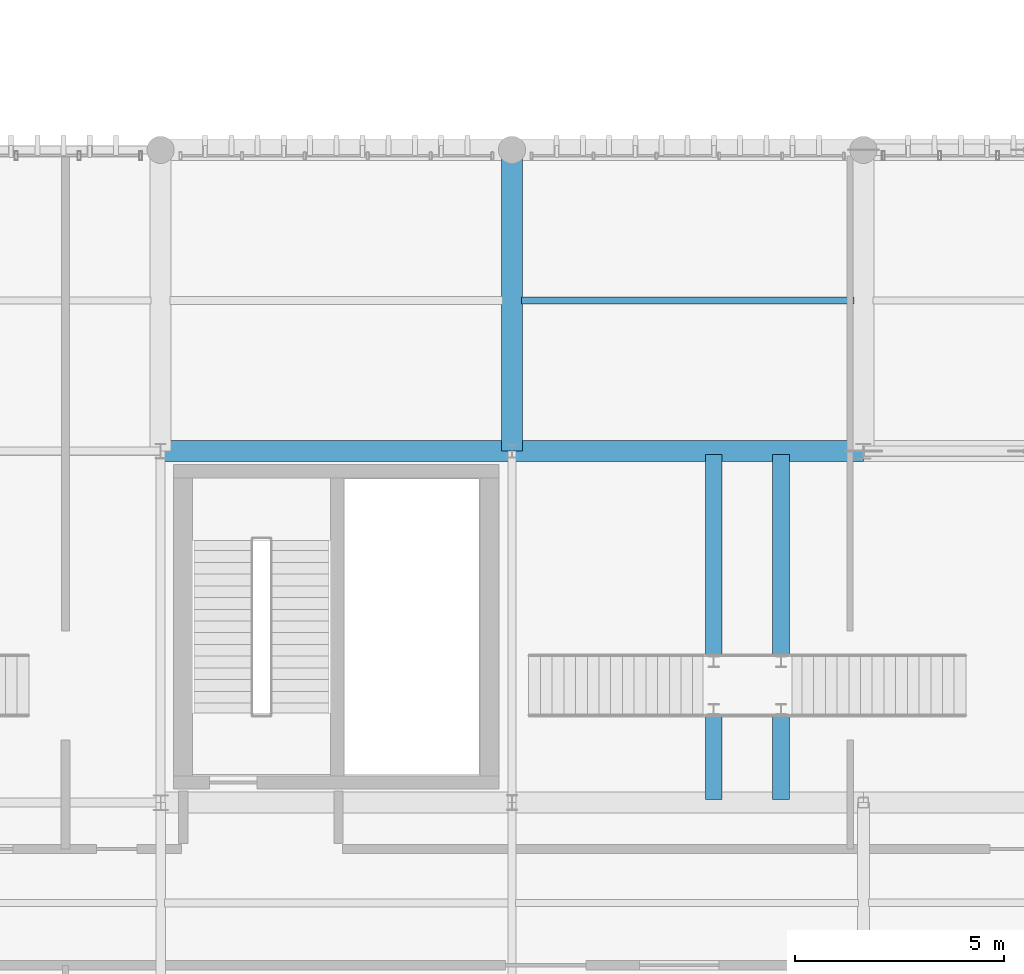
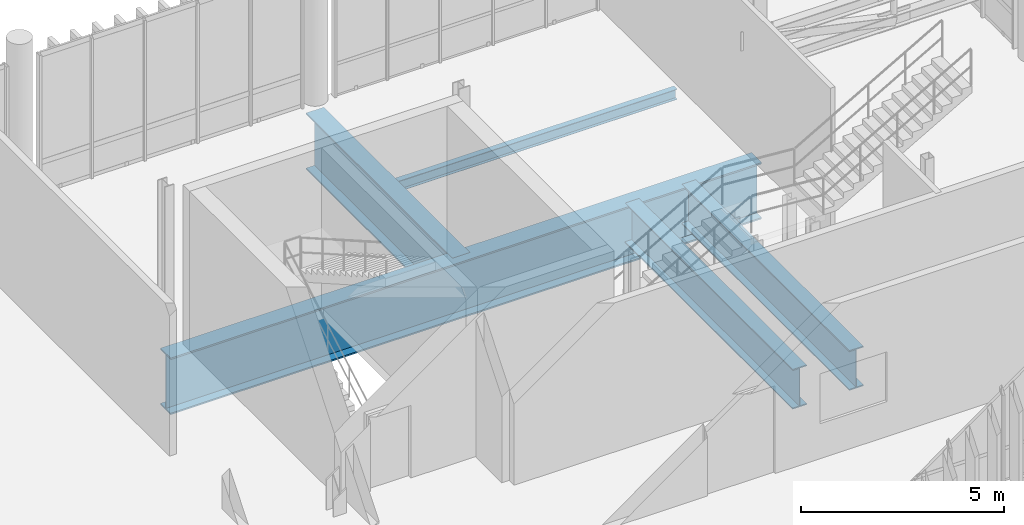
# One storey, part 38 of 86: 5 beams.
"""IFC4 building model written with IfcOpenShell, lengths in metres."""

import ifcopenshell
import ifcopenshell.guid

model = None  # the IFC model being written
_history = None  # IfcOwnerHistory: only IFC2X3 demands one
_inside = {}  # id of a spatial element -> (the spatial element, [elements in it])
_under = {}  # id of a project, library or spatial element -> (it, [spatial elements below it])
_declared = {}  # id of a project -> (the project, [libraries it declares])
_typed = {}  # id of a type object -> (the type object, [elements of that type])
_made_of = {}  # id of a material, layer set ... -> (it, [elements and type objects made of it])


def new_model(schema):
    """Start an empty IFC model of exactly this schema.

    Asked for "IFC4X3", IfcOpenShell would pick the latest addendum, in which some entities
    have other attributes; the version numbers below select the first issue.
    IFC2X3 requires an IfcOwnerHistory on every rooted entity: one is made here for all.
    """
    global model, _history
    if schema == "IFC4X3":
        model = ifcopenshell.file(schema_version=(4, 3, 0, 0))
    else:
        model = ifcopenshell.file(schema=schema)
    _inside.clear()
    _under.clear()
    _declared.clear()
    _typed.clear()
    _made_of.clear()
    _history = None
    if model.schema == "IFC2X3":
        org = make("IfcOrganization", Name="unknown")
        user = make(
            "IfcPersonAndOrganization",
            ThePerson=make("IfcPerson", FamilyName="unknown"),
            TheOrganization=org,
        )
        app = make(
            "IfcApplication",
            ApplicationDeveloper=org,
            Version="unknown",
            ApplicationFullName="unknown",
            ApplicationIdentifier="unknown",
        )
        _history = make(
            "IfcOwnerHistory",
            OwningUser=user,
            OwningApplication=app,
            ChangeAction="ADDED",
            CreationDate=0,
        )
    return model


def make(cls, **values):
    """One entity of the class cls with the attributes given. An attribute that is None is left unset."""
    return model.create_entity(
        cls, **{name: value for name, value in values.items() if value is not None}
    )


def rooted(cls, **values):
    """An entity with a GlobalId (a new one), such as an element, a storey or a relation."""
    return make(cls, GlobalId=ifcopenshell.guid.new(), OwnerHistory=_history, **values)


def si_unit(unit_type, name, prefix=None):
    """IfcSIUnit, for example si_unit("LENGTHUNIT", "METRE", prefix="MILLI")."""
    return make("IfcSIUnit", UnitType=unit_type, Prefix=prefix, Name=name)


def assignment(units):
    """IfcUnitAssignment: the units of a project."""
    return None if units is None else make("IfcUnitAssignment", Units=units)


def point(xyz):
    """IfcCartesianPoint."""
    return None if xyz is None else make("IfcCartesianPoint", Coordinates=xyz)


def direction(xyz):
    """IfcDirection."""
    return None if xyz is None else make("IfcDirection", DirectionRatios=xyz)


def frame(location, z_axis=None, x_axis=None):
    """IfcAxis2Placement3D, a coordinate frame: its origin and axes. An axis left out is left unset."""
    return make(
        "IfcAxis2Placement3D",
        Location=point(location),
        Axis=direction(z_axis),
        RefDirection=direction(x_axis),
    )


def frame_2d(location, x_axis=None):
    """IfcAxis2Placement2D, a coordinate frame in the plane: its origin and x axis."""
    return make(
        "IfcAxis2Placement2D", Location=point(location), RefDirection=direction(x_axis)
    )


def origin_with_axes():
    """The frame at (0, 0, 0) with the z axis (0, 0, 1) and the x axis (1, 0, 0) written out."""
    return frame((0.0, 0.0, 0.0), z_axis=(0.0, 0.0, 1.0), x_axis=(1.0, 0.0, 0.0))


def origin_2d_with_axis():
    """The frame at (0, 0) in the plane with the x axis (1, 0) written out."""
    return frame_2d((0.0, 0.0), x_axis=(1.0, 0.0))


def place(relative_to, where):
    """IfcLocalPlacement: puts the frame where relative to a parent placement (None: the world)."""
    return make(
        "IfcLocalPlacement", PlacementRelTo=relative_to, RelativePlacement=where
    )


def context(
    kind, dimensions, precision=None, world=None, true_north=None, identifier=None
):
    """IfcGeometricRepresentationContext, for example the 3D "Model" context."""
    return make(
        "IfcGeometricRepresentationContext",
        ContextIdentifier=identifier,
        ContextType=kind,
        CoordinateSpaceDimension=dimensions,
        Precision=precision,
        WorldCoordinateSystem=world,
        TrueNorth=true_north,
    )


def subcontext(parent, identifier, kind, view, scale=None):
    """IfcGeometricRepresentationSubContext, for example "Body" below "Model"."""
    return make(
        "IfcGeometricRepresentationSubContext",
        ContextIdentifier=identifier,
        ContextType=kind,
        ParentContext=parent,
        TargetScale=scale,
        TargetView=view,
    )


def project(units=None, contexts=None):
    """IfcProject with its units and contexts."""
    return rooted(
        "IfcProject",
        Name="project",
        RepresentationContexts=contexts,
        UnitsInContext=assignment(units),
    )


def spatial(cls, under=None, at=None, **own):
    """A site, building, storey or space (cls), placed at a placement, below another one or the project."""
    s = rooted(cls, ObjectPlacement=at, **own)
    if under is not None:
        _under.setdefault(under.id(), (under, []))[1].append(s)
    return s


def profile(cls, at=None, kind="AREA", **sizes):
    """A parametric profile (cls). Its sizes go by their IFC names, for example OverallWidth=200.0."""
    return make(cls, ProfileType=kind, Position=at, **sizes)


def i_section(**sizes):
    """IfcIShapeProfileDef."""
    return profile("IfcIShapeProfileDef", **sizes)


def extrude(swept, where, along, depth):
    """IfcExtrudedAreaSolid: the profile swept, set in the frame where, extruded along a direction by depth."""
    return make(
        "IfcExtrudedAreaSolid",
        SweptArea=swept,
        Position=where,
        ExtrudedDirection=direction(along),
        Depth=depth,
    )


def shape(context_of_items, identifier, shape_type, items):
    """IfcShapeRepresentation: the items that make up one representation, for example the "Body"."""
    return make(
        "IfcShapeRepresentation",
        ContextOfItems=context_of_items,
        RepresentationIdentifier=identifier,
        RepresentationType=shape_type,
        Items=items,
    )


def material(Name=None, Category=None):
    """IfcMaterial."""
    return make("IfcMaterial", Name=Name, Category=Category)


def material_profile(
    of_material, cross_section, Name=None, Category=None, Priority=None
):
    """IfcMaterialProfile: a cross section and its material."""
    return make(
        "IfcMaterialProfile",
        Name=Name,
        Material=of_material,
        Profile=cross_section,
        Priority=Priority,
        Category=Category,
    )


def profile_set(profiles, Name=None, composite=None):
    """IfcMaterialProfileSet."""
    return make(
        "IfcMaterialProfileSet",
        Name=Name,
        MaterialProfiles=profiles,
        CompositeProfile=composite,
    )


def made_of(thing, what):
    """Note that an element or type object is made of a material, layer set ...; save() writes the relation."""
    if what is not None:
        _made_of.setdefault(what.id(), (what, []))[1].append(thing)
    return thing


def type_object(cls, material=None, **own):
    """A type object (cls), such as IfcWallType, which elements share."""
    return made_of(rooted(cls, **own), material)


def element(
    cls,
    number,
    at=None,
    inside=None,
    cuts=None,
    type_object=None,
    material=None,
    context=None,
    identifier="Body",
    shape_type=None,
    held_by="IfcProductDefinitionShape",
    body=None,
    shapes=None,
    **own,
):
    """One element of the class cls, such as IfcWall. Its Tag is "e" and its number.

    at: its placement. inside: the storey or other place that contains it. cuts: it is an
    opening in that element (IfcRelVoidsElement). A single representation is given by context,
    identifier, shape_type and body (its items); several are given by shapes. held_by: the class
    of the entity that holds the representations. save() writes the other relations.
    """
    e = rooted(cls, Tag="e%d" % number, ObjectPlacement=at, **own)
    if body is not None:
        shapes = [shape(context, identifier, shape_type, body)]
    if shapes is not None:
        e.Representation = make(held_by, Representations=shapes)
    if inside is not None:
        _inside.setdefault(inside.id(), (inside, []))[1].append(e)
    if cuts is not None:
        rooted(
            "IfcRelVoidsElement", RelatingBuildingElement=cuts, RelatedOpeningElement=e
        )
    if type_object is not None:
        _typed.setdefault(type_object.id(), (type_object, []))[1].append(e)
    return made_of(e, material)


def aggregate(whole, parts):
    """IfcRelAggregates: a whole, such as a stair, and the parts it consists of."""
    return rooted("IfcRelAggregates", RelatingObject=whole, RelatedObjects=parts)


def save(model, path):
    """Write the relations noted so far, then the file.

    IfcRelAggregates (storeys below a building ...), IfcRelContainedInSpatialStructure (elements
    in a storey), IfcRelDefinesByType, IfcRelAssociatesMaterial and IfcRelDeclares: one each for
    every whole, place, type object, material and project.
    """
    for whole, parts in _under.values():
        aggregate(whole, parts)
    for where, things in _inside.values():
        rooted(
            "IfcRelContainedInSpatialStructure",
            RelatedElements=things,
            RelatingStructure=where,
        )
    for kind, things in _typed.values():
        rooted("IfcRelDefinesByType", RelatedObjects=things, RelatingType=kind)
    for what, things in _made_of.values():
        rooted("IfcRelAssociatesMaterial", RelatedObjects=things, RelatingMaterial=what)
    for by, libraries in _declared.values():
        rooted("IfcRelDeclares", RelatingContext=by, RelatedDefinitions=libraries)
    model.write(path)


model = new_model("IFC4")

# Units and contexts
model_context = context("Model", 3, precision=1e-05, world=origin_with_axes(), true_north=direction((0.0, 1.0)))
body_context = subcontext(model_context, "Body", "Model", "MODEL_VIEW")
ifc_project = project(units=[si_unit("LENGTHUNIT", "METRE"), si_unit("AREAUNIT", "SQUARE_METRE"), si_unit("VOLUMEUNIT", "CUBIC_METRE"), si_unit("PLANEANGLEUNIT", "RADIAN"), si_unit("MASSUNIT", "GRAM", prefix="KILO"), si_unit("THERMODYNAMICTEMPERATUREUNIT", "KELVIN")], contexts=[model_context])

# Site, building, storey
site_placement = place(None, origin_with_axes())
site = spatial("IfcSite", under=ifc_project, at=site_placement, CompositionType="ELEMENT")
building_placement = place(site_placement, origin_with_axes())
building = spatial("IfcBuilding", under=site, at=building_placement, Name="Montbau Bow Law Courts", CompositionType="ELEMENT")
storey_placement = place(building_placement, frame((0.0, 0.0, 29.7), z_axis=(0.0, 0.0, 1.0), x_axis=(1.0, 0.0, 0.0)))
storey = spatial("IfcBuildingStorey", under=building, at=storey_placement, Name="L06", CompositionType="ELEMENT", Elevation=29.7)

# Beams
ifc_material_1 = material(Name="Steel CSA G40.21 Grade 350W (350 MPa)", Category="steel")
ifc_material_profile_1 = material_profile(ifc_material_1, i_section(OverallWidth=0.166, OverallDepth=0.313, WebThickness=0.0066, FlangeThickness=0.0112, at=origin_2d_with_axis()), Name="W310X45", Category="Main", Priority=0)
ifc_profile_set_1 = profile_set([ifc_material_profile_1], Name="Steel CSA G40.21 Grade 350W (350 MPa)")
beam_type_1 = type_object("IfcBeamType", Name="B-JST-04", PredefinedType="JOIST", material=ifc_profile_set_1)
beam_1_placement = place(None, frame((89.026, 58.2, 29.203), z_axis=(1.0, 0.0, 0.0), x_axis=(0.0, 1.0, 0.0)))
element("IfcBeam", 1, at=beam_1_placement, inside=storey, type_object=beam_type_1, Name="JST-L06-S0523:jst2_0523", PredefinedType="JOIST", context=body_context, shape_type="SweptSolid", body=[
    extrude(i_section(OverallWidth=0.166, OverallDepth=0.313, WebThickness=0.0066, FlangeThickness=0.0112, at=origin_2d_with_axis()), origin_with_axes(), (0.0, 0.0, 1.0), 7.948),
])
ifc_material_2 = material(Name="Steel CSA G40.21 Grade 350WT (350 MPa)", Category="steel")
ifc_material_profile_2 = material_profile(ifc_material_2, i_section(OverallWidth=0.5, OverallDepth=1.7, WebThickness=0.02, FlangeThickness=0.045, at=origin_2d_with_axis()), Name="WWF1700X480", Category="Main", Priority=0)
ifc_profile_set_2 = profile_set([ifc_material_profile_2], Name="Steel CSA G40.21 Grade 350WT (350 MPa)")
beam_type_2 = type_object("IfcBeamType", Name="B-TRG-02", PredefinedType="USERDEFINED", material=ifc_profile_set_2)
beam_2_placement = place(None, frame((80.4, 54.6, 28.51), z_axis=(1.0, 0.0, 0.0), x_axis=(0.0, 1.0, 0.0)))
element("IfcBeam", 2, at=beam_2_placement, inside=storey, type_object=beam_type_2, Name="TRG-L06-S0063:bm2_0066", ObjectType="GIRDER", PredefinedType="USERDEFINED", context=body_context, shape_type="SweptSolid", body=[
    extrude(i_section(OverallWidth=0.5, OverallDepth=1.7, WebThickness=0.02, FlangeThickness=0.045, at=origin_2d_with_axis()), origin_with_axes(), (0.0, 0.0, 1.0), 16.8),
])
beam_3_placement = place(None, frame((88.8, 54.6, 28.51), z_axis=(0.0, 1.0, 0.0), x_axis=(-1.0, 0.0, 0.0)))
element("IfcBeam", 3, at=beam_3_placement, inside=storey, type_object=beam_type_2, Name="TRG-L06-S0074:bm2_0077", ObjectType="GIRDER", PredefinedType="USERDEFINED", context=body_context, shape_type="SweptSolid", body=[
    extrude(i_section(OverallWidth=0.5, OverallDepth=1.7, WebThickness=0.02, FlangeThickness=0.045, at=origin_2d_with_axis()), origin_with_axes(), (0.0, 0.0, 1.0), 7.2),
])
ifc_material_profile_3 = material_profile(ifc_material_1, i_section(OverallWidth=0.4, OverallDepth=1.2, WebThickness=0.016, FlangeThickness=0.035, at=origin_2d_with_axis()), Name="WWF1200X302", Category="Main", Priority=0)
ifc_profile_set_3 = profile_set([ifc_material_profile_3], Name="Steel CSA G40.21 Grade 350W (350 MPa)")
beam_type_3 = type_object("IfcBeamType", Name="B-TRG-05", PredefinedType="USERDEFINED", material=ifc_profile_set_3)
for number, where, z_axis, x_axis, name in (
    (4, (93.62, 46.275, 28.76), (0.0, 1.0, 0.0), (-1.0, 0.0, 0.0), "TRG-L06-S1814:bm2_1817"),
    (5, (95.23, 46.275, 28.76), (0.0, 1.0, 0.0), (-1.0, 0.0, 0.0), "TRG-L06-S1815:bm2_1818"),
):
    element("IfcBeam", number, at=place(None, frame(where, z_axis=z_axis, x_axis=x_axis)), inside=storey, type_object=beam_type_3, Name=name, ObjectType="GIRDER", PredefinedType="USERDEFINED", context=body_context, shape_type="SweptSolid", body=[
        extrude(i_section(OverallWidth=0.4, OverallDepth=1.2, WebThickness=0.016, FlangeThickness=0.035, at=origin_2d_with_axis()), origin_with_axes(), (0.0, 0.0, 1.0), 8.25),
    ])

save(model, "model.ifc")
